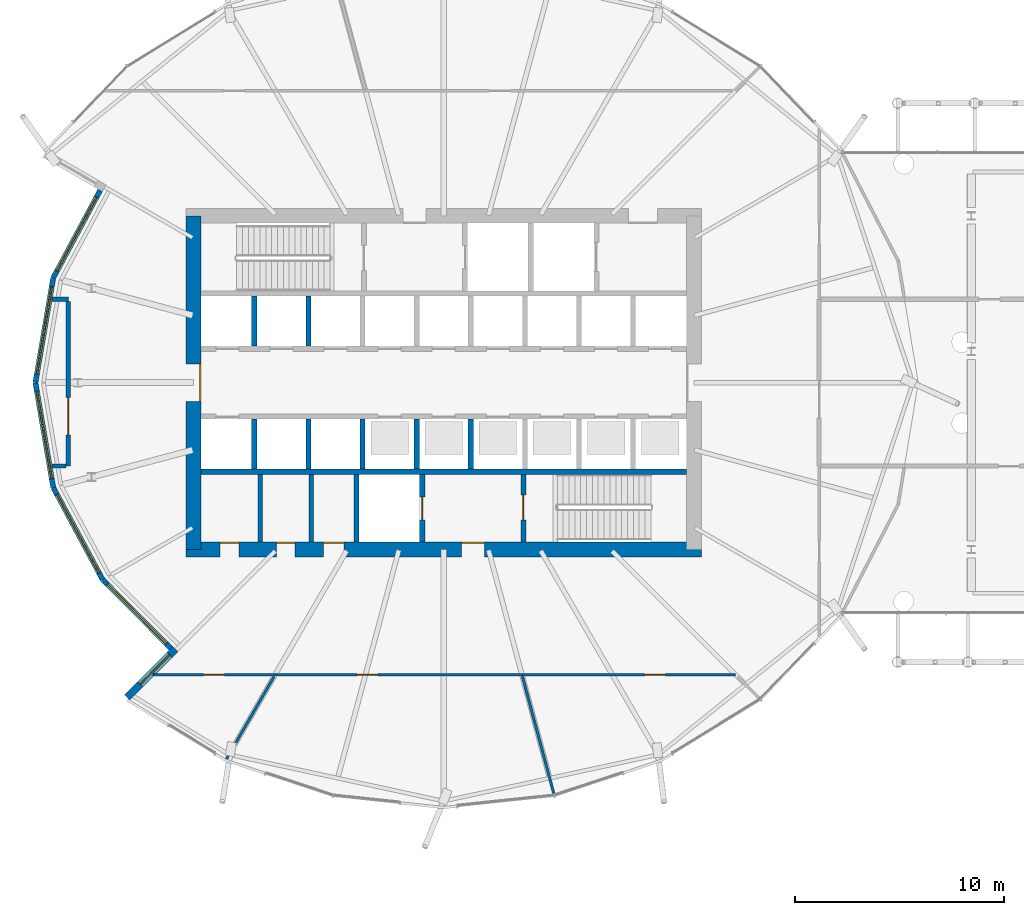
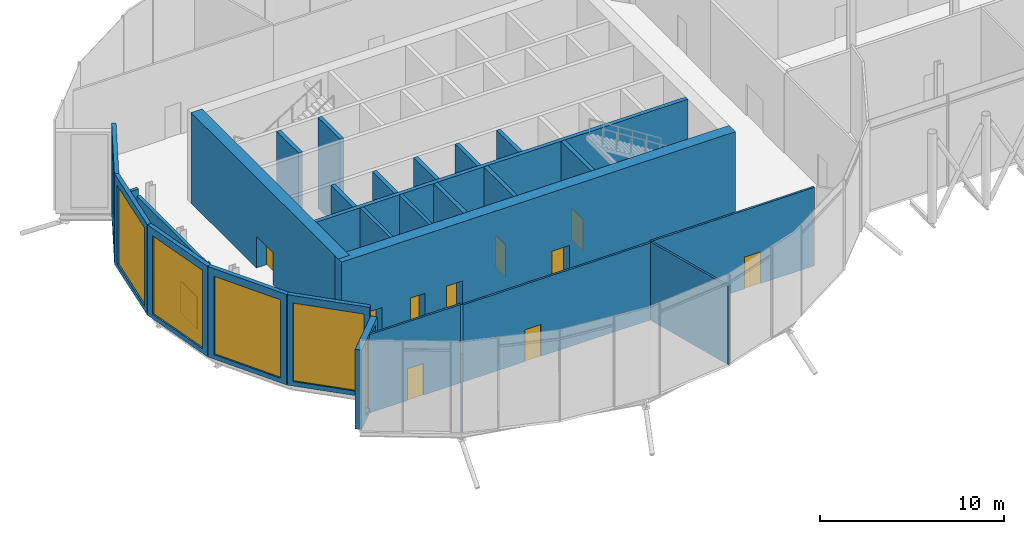
# One storey, part 19 of 38: 29 walls, 11 doors, 6 windows, 17 openings.
"""IFC4 building model written with IfcOpenShell, lengths in metres."""

from ifc_helpers import new_model, si_unit, direction, frame, frame_2d, origin, place, context, subcontext, project, spatial, rectangle, extrude, material, layer, layer_set, type_object, element, fill, save


model = new_model("IFC4")

# Units and contexts
model_context = context("Model", 3, precision=1e-05, world=origin(), true_north=direction((0.0, 1.0)))
body_context = subcontext(model_context, "Body", "Model", "MODEL_VIEW")
ifc_project = project(units=[si_unit("LENGTHUNIT", "METRE"), si_unit("AREAUNIT", "SQUARE_METRE"), si_unit("VOLUMEUNIT", "CUBIC_METRE"), si_unit("PLANEANGLEUNIT", "RADIAN"), si_unit("MASSUNIT", "GRAM", prefix="KILO")], contexts=[model_context])

# Site, building, storey
site_placement = place(None, origin())
site = spatial("IfcSite", under=ifc_project, at=site_placement, CompositionType="ELEMENT")
building_placement = place(site_placement, origin())
building = spatial("IfcBuilding", under=site, at=building_placement, Name="Rimbun Link Towers", CompositionType="ELEMENT")
storey_placement = place(building_placement, frame((0.0, 0.0, 133.199951171875)))
storey = spatial("IfcBuildingStorey", under=building, at=storey_placement, Name="L32", CompositionType="ELEMENT", Elevation=133.199951171875)

# Wall, opening, window
ifc_material_1 = material(Name="Dark enamelled glass spandrel on insulated aluminium backpan", Category="aluminium")
ifc_layer_1 = layer(ifc_material_1, 0.25)
ifc_layer_set_1 = layer_set([ifc_layer_1], Name="CS dark enamelled spandrel wall 250")
wall_type_1 = type_object("IfcWallType", Name="CS dark enamelled spandrel wall 250", PredefinedType="STANDARD", material=ifc_layer_set_1)
wall_1_placement = place(storey_placement, frame((-50.4755859375, 5.0263671875, 0.0), z_axis=(0.0, 0.0, 1.0), x_axis=(0.47248174368, 0.881340457422, 0.0)))
wall_1 = element("IfcWall", 1, at=wall_1_placement, inside=storey, type_object=wall_type_1, Name="Crease spandrel wall", PredefinedType="STANDARD", context=body_context, shape_type="SweptSolid", body=[
    extrude(rectangle(XDim=4.76220703125, YDim=0.25, at=frame_2d((2.381103515625, 0.0))), origin(), (0.0, 0.0, 1.0), 6.0),
])
opening_1_placement = place(wall_1_placement, frame((0.381103515625, 0.0, 0.300048828125)))
opening_1 = element("IfcOpeningElement", 2, at=opening_1_placement, cuts=wall_1, Name="Opening WR40H520", PredefinedType="OPENING", context=body_context, shape_type="SweptSolid", body=[
    extrude(rectangle(XDim=4.0, YDim=5.199951171875, at=frame_2d((2.0, 2.60009765625))), frame((0.0, 0.135009765625, 0.0), z_axis=(0.0, -1.0, 0.0), x_axis=(1.0, 0.0, 0.0)), (0.0, 0.0, 1.0), 0.27001953125),
])
ifc_material_2 = material(Name="Aluminium framed fixed window, dark tinted low-e glass", Category="aluminium")
window_type_1 = type_object("IfcWindowType", Name="WR ribbon window 4000X5200", PartitioningType="SINGLE_PANEL", PredefinedType="WINDOW", material=ifc_material_2)
window_1_placement = place(opening_1_placement, origin())
window_1 = element("IfcWindow", 3, at=window_1_placement, inside=storey, type_object=window_type_1, Name="Crease ribbon window", OverallHeight=5.199951171875, OverallWidth=4.0, PartitioningType="SINGLE_PANEL", PredefinedType="WINDOW", context=body_context, shape_type="SweptSolid", body=[
    extrude(rectangle(XDim=4.0, YDim=5.199951171875, at=frame_2d((2.0, 2.60009765625))), frame((0.0, 0.030029296875, 0.0), z_axis=(0.0, -1.0, 0.0), x_axis=(1.0, 0.0, 0.0)), (0.0, 0.0, 1.0), 0.06005859375),
])
fill(opening_1, window_1)

wall_2_placement = place(storey_placement, frame((-51.330322265625, 0.0, 0.0), z_axis=(0.0, 0.0, 1.0), x_axis=(0.167643894896, 0.985847617284, 0.0)))
wall_2 = element("IfcWall", 4, at=wall_2_placement, inside=storey, type_object=wall_type_1, Name="Crease spandrel wall", PredefinedType="STANDARD", context=body_context, shape_type="SweptSolid", body=[
    extrude(rectangle(XDim=5.0986328125, YDim=0.25, at=frame_2d((2.54931640625, 0.0))), origin(), (0.0, 0.0, 1.0), 6.0),
])
opening_2_placement = place(wall_2_placement, frame((0.42431640625, 0.0, 0.300048828125)))
opening_2 = element("IfcOpeningElement", 5, at=opening_2_placement, cuts=wall_2, Name="Opening WR42H520", PredefinedType="OPENING", context=body_context, shape_type="SweptSolid", body=[
    extrude(rectangle(XDim=4.25, YDim=5.199951171875, at=frame_2d((2.125, 2.60009765625))), frame((0.0, 0.135009765625, 0.0), z_axis=(0.0, -1.0, 0.0), x_axis=(1.0, 0.0, 0.0)), (0.0, 0.0, 1.0), 0.27001953125),
])
ifc_material_3 = material(Name="Aluminium framed fixed window, dark tinted low-e glass", Category="aluminium")
window_type_2 = type_object("IfcWindowType", Name="WR ribbon window 4250X5200", PartitioningType="SINGLE_PANEL", PredefinedType="WINDOW", material=ifc_material_3)
window_2_placement = place(opening_2_placement, origin())
window_2 = element("IfcWindow", 6, at=window_2_placement, inside=storey, type_object=window_type_2, Name="Crease ribbon window", OverallHeight=5.199951171875, OverallWidth=4.25, PartitioningType="SINGLE_PANEL", PredefinedType="WINDOW", context=body_context, shape_type="SweptSolid", body=[
    extrude(rectangle(XDim=4.25, YDim=5.199951171875, at=frame_2d((2.125, 2.60009765625))), frame((0.0, 0.030029296875, 0.0), z_axis=(0.0, -1.0, 0.0), x_axis=(1.0, 0.0, 0.0)), (0.0, 0.0, 1.0), 0.06005859375),
])
fill(opening_2, window_2)

wall_3_placement = place(storey_placement, frame((-50.4755859375, -5.0263671875, 0.0), z_axis=(0.0, 0.0, 1.0), x_axis=(-0.167643894896, 0.985847617284, 0.0)))
wall_3 = element("IfcWall", 7, at=wall_3_placement, inside=storey, type_object=wall_type_1, Name="Crease spandrel wall", PredefinedType="STANDARD", context=body_context, shape_type="SweptSolid", body=[
    extrude(rectangle(XDim=5.0986328125, YDim=0.25, at=frame_2d((2.54931640625, 0.0))), origin(), (0.0, 0.0, 1.0), 6.0),
])
opening_3_placement = place(wall_3_placement, frame((0.42431640625, 0.0, 0.300048828125)))
opening_3 = element("IfcOpeningElement", 8, at=opening_3_placement, cuts=wall_3, Name="Opening WR42H520", PredefinedType="OPENING", context=body_context, shape_type="SweptSolid", body=[
    extrude(rectangle(XDim=4.25, YDim=5.199951171875, at=frame_2d((2.125, 2.60009765625))), frame((0.0, 0.135009765625, 0.0), z_axis=(0.0, -1.0, 0.0), x_axis=(1.0, 0.0, 0.0)), (0.0, 0.0, 1.0), 0.27001953125),
])
window_3_placement = place(opening_3_placement, origin())
window_3 = element("IfcWindow", 9, at=window_3_placement, inside=storey, type_object=window_type_2, Name="Crease ribbon window", OverallHeight=5.199951171875, OverallWidth=4.25, PartitioningType="SINGLE_PANEL", PredefinedType="WINDOW", context=body_context, shape_type="SweptSolid", body=[
    extrude(rectangle(XDim=4.25, YDim=5.199951171875, at=frame_2d((2.125, 2.60009765625))), frame((0.0, 0.030029296875, 0.0), z_axis=(0.0, -1.0, 0.0), x_axis=(1.0, 0.0, 0.0)), (0.0, 0.0, 1.0), 0.06005859375),
])
fill(opening_3, window_3)

wall_4_placement = place(storey_placement, frame((-48.1005859375, -9.45654296875, 0.0), z_axis=(0.0, 0.0, 1.0), x_axis=(-0.472482867298, 0.881339855056, 0.0)))
wall_4 = element("IfcWall", 10, at=wall_4_placement, inside=storey, type_object=wall_type_1, Name="Crease spandrel wall", PredefinedType="STANDARD", context=body_context, shape_type="SweptSolid", body=[
    extrude(rectangle(XDim=5.026611328125, YDim=0.25, at=frame_2d((2.51318359375, 0.0))), origin(), (0.0, 0.0, 1.0), 6.0),
])
opening_4_placement = place(wall_4_placement, frame((0.38818359375, 0.0, 0.300048828125)))
opening_4 = element("IfcOpeningElement", 11, at=opening_4_placement, cuts=wall_4, Name="Opening WR42H520", PredefinedType="OPENING", context=body_context, shape_type="SweptSolid", body=[
    extrude(rectangle(XDim=4.25, YDim=5.199951171875, at=frame_2d((2.125, 2.60009765625))), frame((0.0, 0.135009765625, 0.0), z_axis=(0.0, -1.0, 0.0), x_axis=(1.0, 0.0, 0.0)), (0.0, 0.0, 1.0), 0.27001953125),
])
window_4_placement = place(opening_4_placement, origin())
window_4 = element("IfcWindow", 12, at=window_4_placement, inside=storey, type_object=window_type_2, Name="Crease ribbon window", OverallHeight=5.199951171875, OverallWidth=4.25, PartitioningType="SINGLE_PANEL", PredefinedType="WINDOW", context=body_context, shape_type="SweptSolid", body=[
    extrude(rectangle(XDim=4.25, YDim=5.199951171875, at=frame_2d((2.125, 2.60009765625))), frame((0.0, 0.030029296875, 0.0), z_axis=(0.0, -1.0, 0.0), x_axis=(1.0, 0.0, 0.0)), (0.0, 0.0, 1.0), 0.06005859375),
])
fill(opening_4, window_4)

wall_5_placement = place(storey_placement, frame((-44.835693359375, -12.73193359375, 0.0), z_axis=(0.0, 0.0, 1.0), x_axis=(-0.705970868874, 0.708240871668, 0.0)))
wall_5 = element("IfcWall", 13, at=wall_5_placement, inside=storey, type_object=wall_type_1, Name="Crease spandrel wall", PredefinedType="STANDARD", context=body_context, shape_type="SweptSolid", body=[
    extrude(rectangle(XDim=4.624755859375, YDim=0.25, at=frame_2d((2.3125, 0.0))), origin(), (0.0, 0.0, 1.0), 6.0),
])
opening_5_placement = place(wall_5_placement, frame((0.3125, 0.0, 0.300048828125)))
opening_5 = element("IfcOpeningElement", 14, at=opening_5_placement, cuts=wall_5, Name="Opening WR40H520", PredefinedType="OPENING", context=body_context, shape_type="SweptSolid", body=[
    extrude(rectangle(XDim=4.0, YDim=5.199951171875, at=frame_2d((2.0, 2.60009765625))), frame((0.0, 0.135009765625, 0.0), z_axis=(0.0, -1.0, 0.0), x_axis=(1.0, 0.0, 0.0)), (0.0, 0.0, 1.0), 0.27001953125),
])
window_5_placement = place(opening_5_placement, origin())
window_5 = element("IfcWindow", 15, at=window_5_placement, inside=storey, type_object=window_type_1, Name="Crease ribbon window", OverallHeight=5.199951171875, OverallWidth=4.0, PartitioningType="SINGLE_PANEL", PredefinedType="WINDOW", context=body_context, shape_type="SweptSolid", body=[
    extrude(rectangle(XDim=4.0, YDim=5.199951171875, at=frame_2d((2.0, 2.60009765625))), frame((0.0, 0.030029296875, 0.0), z_axis=(0.0, -1.0, 0.0), x_axis=(1.0, 0.0, 0.0)), (0.0, 0.0, 1.0), 0.06005859375),
])
fill(opening_5, window_5)

ifc_material_4 = material(Name="Dark enamelled glass spandrel on insulated aluminium backpan", Category="aluminium")
ifc_layer_2 = layer(ifc_material_4, 0.3701171875)
ifc_layer_set_2 = layer_set([ifc_layer_2], Name="CS dark enamelled spandrel wall 370")
wall_type_2 = type_object("IfcWallType", Name="CS dark enamelled spandrel wall 370", PredefinedType="STANDARD", material=ifc_layer_set_2)
wall_6_placement = place(storey_placement, frame((-46.93603515625, -15.093994140625, 0.0), z_axis=(0.0, 0.0, 1.0), x_axis=(0.707106781187, 0.707106781187, 0.0)))
wall_6 = element("IfcWall", 16, at=wall_6_placement, inside=storey, type_object=wall_type_2, Name="Crease spandrel wall", PredefinedType="STANDARD", context=body_context, shape_type="SweptSolid", body=[
    extrude(rectangle(XDim=3.280029296875, YDim=0.3701171875, at=frame_2d((1.64013671875, 0.0))), origin(), (0.0, 0.0, 1.0), 5.27685546875),
])
opening_6_placement = place(wall_6_placement, frame((0.88916015625, 0.0, 0.300048828125)))
opening_6 = element("IfcOpeningElement", 17, at=opening_6_placement, cuts=wall_6, Name="Opening WR20H470", PredefinedType="OPENING", context=body_context, shape_type="SweptSolid", body=[
    extrude(rectangle(XDim=2.0, YDim=4.699951171875, at=frame_2d((1.0, 2.35009765625))), frame((0.0, 0.195068359375, 0.0), z_axis=(0.0, -1.0, 0.0), x_axis=(1.0, 0.0, 0.0)), (0.0, 0.0, 1.0), 0.39013671875),
])
ifc_material_5 = material(Name="Aluminium framed fixed window, dark tinted low-e glass", Category="aluminium")
window_type_3 = type_object("IfcWindowType", Name="WR ribbon window 2000X4700", PartitioningType="SINGLE_PANEL", PredefinedType="WINDOW", material=ifc_material_5)
window_6_placement = place(opening_6_placement, origin())
window_6 = element("IfcWindow", 18, at=window_6_placement, inside=storey, type_object=window_type_3, Name="Crease ribbon window", OverallHeight=4.699951171875, OverallWidth=2.0, PartitioningType="SINGLE_PANEL", PredefinedType="WINDOW", context=body_context, shape_type="SweptSolid", body=[
    extrude(rectangle(XDim=2.0, YDim=4.699951171875, at=frame_2d((1.0, 2.35009765625))), frame((0.0, 0.030029296875, 0.0), z_axis=(0.0, -1.0, 0.0), x_axis=(1.0, 0.0, 0.0)), (0.0, 0.0, 1.0), 0.06005859375),
])
fill(opening_6, window_6)

# Walls
ifc_material_6 = material(Name="Masonry blockwork", Category="masonry")
ifc_layer_3 = layer(ifc_material_6, 0.199951171875)
ifc_layer_set_3 = layer_set([ifc_layer_3], Name="Core partition 200")
wall_type_3 = type_object("IfcWallType", Name="Core partition 200", PredefinedType="PARTITIONING", material=ifc_layer_set_3)
for number, where, z_axis, x_axis, name in (
    (19, (-40.550048828125, -4.39990234375, 0.0), (0.0, 0.0, 1.0), (0.0, -1.0, 0.0), "L32 T1 core wall C1"),
    (20, (-38.10009765625, -4.39990234375, 0.0), (0.0, 0.0, 1.0), (0.0, -1.0, 0.0), "L32 T1 core wall C2"),
):
    element("IfcWall", number, at=place(storey_placement, frame(where, z_axis=z_axis, x_axis=x_axis)), inside=storey, type_object=wall_type_3, Name=name, PredefinedType="PARTITIONING", context=body_context, shape_type="SweptSolid", body=[
        extrude(rectangle(XDim=3.25, YDim=0.199951171875, at=frame_2d((1.625, 0.0))), origin(), (0.0, 0.0, 1.0), 6.0),
    ])

# Wall, openings, doors
ifc_material_7 = material(Name="Concrete C60/75", Category="concrete")
ifc_layer_4 = layer(ifc_material_7, 0.699951171875)
ifc_layer_set_4 = layer_set([ifc_layer_4], Name="Core shear wall 700")
wall_type_4 = type_object("IfcWallType", Name="Core shear wall 700", PredefinedType="SHEAR", material=ifc_layer_set_4)
wall_7_placement = place(storey_placement, frame((-44.10009765625, -8.0, 0.0), z_axis=(0.0, 0.0, 1.0), x_axis=(1.0, 0.0, 0.0)))
wall_7 = element("IfcWall", 21, at=wall_7_placement, inside=storey, type_object=wall_type_4, Name="L32 T1 core wall S", PredefinedType="SHEAR", context=body_context, shape_type="SweptSolid", body=[
    extrude(rectangle(XDim=24.7001953125, YDim=0.699951171875, at=frame_2d((12.35009765625, 0.0))), origin(), (0.0, 0.0, 1.0), 6.0),
])
opening_7_placement = place(wall_7_placement, frame((13.199951171875, 0.0, 0.0)))
opening_7 = element("IfcOpeningElement", 22, at=opening_7_placement, cuts=wall_7, Name="Opening C1DCF01S", PredefinedType="OPENING", context=body_context, shape_type="SweptSolid", body=[
    extrude(rectangle(XDim=1.10009765625, YDim=2.10009765625, at=frame_2d((0.550048828125, 1.050048828125))), frame((0.0, 0.35986328125, 0.0), z_axis=(0.0, -1.0, 0.0), x_axis=(1.0, 0.0, 0.0)), (0.0, 0.0, 1.0), 0.719970703125),
])
opening_8_placement = place(wall_7_placement, frame((1.625, 0.0, 0.0)))
opening_8 = element("IfcOpeningElement", 23, at=opening_8_placement, cuts=wall_7, Name="Opening C1DWC02S", PredefinedType="OPENING", context=body_context, shape_type="SweptSolid", body=[
    extrude(rectangle(XDim=0.89990234375, YDim=2.10009765625, at=frame_2d((0.449951171875, 1.050048828125))), frame((0.0, 0.35986328125, 0.0), z_axis=(0.0, -1.0, 0.0), x_axis=(1.0, 0.0, 0.0)), (0.0, 0.0, 1.0), 0.719970703125),
])
opening_9_placement = place(wall_7_placement, frame((4.324951171875, 0.0, 0.0)))
opening_9 = element("IfcOpeningElement", 24, at=opening_9_placement, cuts=wall_7, Name="Opening C1DWC03S", PredefinedType="OPENING", context=body_context, shape_type="SweptSolid", body=[
    extrude(rectangle(XDim=0.89990234375, YDim=2.10009765625, at=frame_2d((0.449951171875, 1.050048828125))), frame((0.0, 0.35986328125, 0.0), z_axis=(0.0, -1.0, 0.0), x_axis=(1.0, 0.0, 0.0)), (0.0, 0.0, 1.0), 0.719970703125),
])
opening_10_placement = place(wall_7_placement, frame((6.574951171875, 0.0, 0.0)))
opening_10 = element("IfcOpeningElement", 25, at=opening_10_placement, cuts=wall_7, Name="Opening C1DAW04S", PredefinedType="OPENING", context=body_context, shape_type="SweptSolid", body=[
    extrude(rectangle(XDim=1.0, YDim=2.10009765625, at=frame_2d((0.5, 1.050048828125))), frame((0.0, 0.35986328125, 0.0), z_axis=(0.0, -1.0, 0.0), x_axis=(1.0, 0.0, 0.0)), (0.0, 0.0, 1.0), 0.719970703125),
])
ifc_material_8 = material(Name="Timber", Category="wood")
door_type_1 = type_object("IfcDoorType", Name="Accessible WC door", OperationType="SINGLE_SWING_LEFT", PredefinedType="DOOR", material=ifc_material_8)
door_1_placement = place(opening_10_placement, origin())
door_1 = element("IfcDoor", 26, at=door_1_placement, inside=storey, type_object=door_type_1, Name="L32 T1 accessible wc door", OperationType="SINGLE_SWING_RIGHT", OverallHeight=2.10009765625, OverallWidth=1.0, PredefinedType="DOOR", context=body_context, shape_type="SweptSolid", body=[
    extrude(rectangle(XDim=1.0, YDim=2.10009765625, at=frame_2d((0.5, 1.050048828125))), frame((0.0, 0.35009765625, 0.0), z_axis=(0.0, -1.0, 0.0), x_axis=(1.0, 0.0, 0.0)), (0.0, 0.0, 1.0), 0.050048828125),
])
fill(opening_10, door_1)
ifc_material_9 = material(Name="Steel fire door set", Category="steel")
door_type_2 = type_object("IfcDoorType", Name="Core fire door single", OperationType="SINGLE_SWING_LEFT", PredefinedType="DOOR", material=ifc_material_9)
door_2_placement = place(opening_7_placement, origin())
door_2 = element("IfcDoor", 27, at=door_2_placement, inside=storey, type_object=door_type_2, Name="L32 T1 firefighting lobby s door", OperationType="SINGLE_SWING_RIGHT", OverallHeight=2.10009765625, OverallWidth=1.10009765625, PredefinedType="DOOR", context=body_context, shape_type="SweptSolid", body=[
    extrude(rectangle(XDim=1.10009765625, YDim=2.10009765625, at=frame_2d((0.550048828125, 1.050048828125))), frame((0.0, 0.35009765625, 0.0), z_axis=(0.0, -1.0, 0.0), x_axis=(1.0, 0.0, 0.0)), (0.0, 0.0, 1.0), 0.050048828125),
])
fill(opening_7, door_2)
ifc_material_10 = material(Name="Timber", Category="wood")
door_type_3 = type_object("IfcDoorType", Name="WC door", OperationType="SINGLE_SWING_LEFT", PredefinedType="DOOR", material=ifc_material_10)
door_3_placement = place(opening_8_placement, origin())
door_3 = element("IfcDoor", 28, at=door_3_placement, inside=storey, type_object=door_type_3, Name="L32 T1 male wc door", OperationType="SINGLE_SWING_RIGHT", OverallHeight=2.10009765625, OverallWidth=0.89990234375, PredefinedType="DOOR", context=body_context, shape_type="SweptSolid", body=[
    extrude(rectangle(XDim=0.89990234375, YDim=2.10009765625, at=frame_2d((0.449951171875, 1.050048828125))), frame((0.0, 0.35009765625, 0.0), z_axis=(0.0, -1.0, 0.0), x_axis=(1.0, 0.0, 0.0)), (0.0, 0.0, 1.0), 0.050048828125),
])
fill(opening_8, door_3)
door_4_placement = place(opening_9_placement, origin())
door_4 = element("IfcDoor", 29, at=door_4_placement, inside=storey, type_object=door_type_3, Name="L32 T1 female wc door", OperationType="SINGLE_SWING_LEFT", OverallHeight=2.10009765625, OverallWidth=0.89990234375, PredefinedType="DOOR", context=body_context, shape_type="SweptSolid", body=[
    extrude(rectangle(XDim=0.89990234375, YDim=2.10009765625, at=frame_2d((0.449951171875, 1.050048828125))), frame((0.0, 0.35009765625, 0.0), z_axis=(0.0, -1.0, 0.0), x_axis=(1.0, 0.0, 0.0)), (0.0, 0.0, 1.0), 0.050048828125),
])
fill(opening_9, door_4)

# Wall, opening, door
wall_8_placement = place(storey_placement, frame((-43.75, -8.0, 0.0), z_axis=(0.0, 0.0, 1.0), x_axis=(0.0, 1.0, 0.0)))
wall_8 = element("IfcWall", 30, at=wall_8_placement, inside=storey, type_object=wall_type_4, Name="L32 T1 core wall W", PredefinedType="SHEAR", context=body_context, shape_type="SweptSolid", body=[
    extrude(rectangle(XDim=16.0, YDim=0.699951171875, at=frame_2d((8.0, 0.0))), origin(), (0.0, 0.0, 1.0), 6.0),
])
opening_11_placement = place(wall_8_placement, frame((7.10009765625, 0.0, 0.0)))
opening_11 = element("IfcOpeningElement", 31, at=opening_11_placement, cuts=wall_8, Name="Opening C1DCL01W", PredefinedType="OPENING", context=body_context, shape_type="SweptSolid", body=[
    extrude(rectangle(XDim=1.800048828125, YDim=2.10009765625, at=frame_2d((0.89990234375, 1.050048828125))), frame((0.0, 0.35986328125, 0.0), z_axis=(0.0, -1.0, 0.0), x_axis=(1.0, 0.0, 0.0)), (0.0, 0.0, 1.0), 0.719970703125),
])
ifc_material_11 = material(Name="Steel fire door set", Category="steel")
door_type_4 = type_object("IfcDoorType", Name="Core lobby door double", OperationType="DOUBLE_DOOR_SINGLE_SWING", PredefinedType="DOOR", material=ifc_material_11)
door_5_placement = place(opening_11_placement, origin())
door_5 = element("IfcDoor", 32, at=door_5_placement, inside=storey, type_object=door_type_4, Name="L32 T1 lift lobby door", OperationType="DOUBLE_DOOR_SINGLE_SWING", OverallHeight=2.10009765625, OverallWidth=1.800048828125, PredefinedType="DOOR", context=body_context, shape_type="SweptSolid", body=[
    extrude(rectangle(XDim=1.800048828125, YDim=2.10009765625, at=frame_2d((0.89990234375, 1.050048828125))), frame((0.0, -0.2998046875, 0.0), z_axis=(0.0, -1.0, 0.0), x_axis=(1.0, 0.0, 0.0)), (0.0, 0.0, 1.0), 0.050048828125),
])
fill(opening_11, door_5)

# Wall
ifc_material_12 = material(Name="Concrete blockwork", Category="masonry")
ifc_layer_5 = layer(ifc_material_12, 0.199951171875)
ifc_layer_set_5 = layer_set([ifc_layer_5], Name="Fire partition 200 blockwork")
wall_type_5 = type_object("IfcWallType", Name="Fire partition 200 blockwork", PredefinedType="PARTITIONING", material=ifc_layer_set_5)
wall_9_placement = place(storey_placement, frame((-50.523193359375, 4.0, 0.0), z_axis=(0.0, 0.0, 1.0), x_axis=(1.0, 0.0, 0.0)))
element("IfcWall", 33, at=wall_9_placement, inside=storey, type_object=wall_type_5, Name="TW/PW/L32/006", PredefinedType="PARTITIONING", context=body_context, shape_type="SweptSolid", body=[
    extrude(rectangle(XDim=0.773193359375, YDim=0.199951171875, at=frame_2d((0.38671875, 0.0))), origin(), (0.0, 0.0, 1.0), 5.39404296875),
])

# Wall, opening, door
wall_10_placement = place(storey_placement, frame((-49.75, 3.89990234375, 0.0), z_axis=(0.0, 0.0, 1.0), x_axis=(0.0, -1.0, 0.0)))
wall_10 = element("IfcWall", 34, at=wall_10_placement, inside=storey, type_object=wall_type_5, Name="TW/PW/L32/007", PredefinedType="PARTITIONING", context=body_context, shape_type="SweptSolid", body=[
    extrude(rectangle(XDim=7.89990234375, YDim=0.199951171875, at=frame_2d((3.949951171875, 0.0))), origin(), (0.0, 0.0, 1.0), 4.958984375),
])
opening_12_placement = place(wall_10_placement, frame((4.610107421875, 0.0, 0.0)))
opening_12 = element("IfcOpeningElement", 35, at=opening_12_placement, cuts=wall_10, Name="Opening TW D32.21", PredefinedType="OPENING", context=body_context, shape_type="SweptSolid", body=[
    extrude(rectangle(XDim=1.800048828125, YDim=2.10009765625, at=frame_2d((0.89990234375, 1.050048828125))), frame((0.0, 0.10986328125, 0.0), z_axis=(0.0, -1.0, 0.0), x_axis=(1.0, 0.0, 0.0)), (0.0, 0.0, 1.0), 0.219970703125),
])
ifc_material_13 = material(Name="Steel fire door set", Category="steel")
door_type_5 = type_object("IfcDoorType", Name="Fire door double leaf 1800 x 2100", OperationType="NOTDEFINED", PredefinedType="DOOR", material=ifc_material_13)
door_6_placement = place(opening_12_placement, origin())
door_6 = element("IfcDoor", 36, at=door_6_placement, inside=storey, type_object=door_type_5, Name="TW/DR/L32/021", OperationType="DOUBLE_DOOR_SINGLE_SWING", OverallHeight=2.10009765625, OverallWidth=1.800048828125, PredefinedType="DOOR", context=body_context, shape_type="SweptSolid", body=[
    extrude(rectangle(XDim=1.800048828125, YDim=2.10009765625, at=frame_2d((0.89990234375, 1.050048828125))), frame((0.0, 0.02490234375, 0.0), z_axis=(0.0, -1.0, 0.0), x_axis=(1.0, 0.0, 0.0)), (0.0, 0.0, 1.0), 0.050048828125),
])
fill(opening_12, door_6)

# Wall
wall_11_placement = place(storey_placement, frame((-49.85009765625, -4.0, 0.0), z_axis=(0.0, 0.0, 1.0), x_axis=(-1.0, 0.0, 0.0)))
element("IfcWall", 37, at=wall_11_placement, inside=storey, type_object=wall_type_5, Name="TW/PW/L32/008", PredefinedType="PARTITIONING", context=body_context, shape_type="SweptSolid", body=[
    extrude(rectangle(XDim=0.673095703125, YDim=0.199951171875, at=frame_2d((0.33642578125, 0.0))), origin(), (0.0, 0.0, 1.0), 5.39404296875),
])

# Wall, opening, door
ifc_material_14 = material(Name="Gypsum board on steel studs", Category="steel")
ifc_layer_6 = layer(ifc_material_14, 0.125)
ifc_layer_set_6 = layer_set([ifc_layer_6], Name="Partition 125 board on studs")
wall_type_6 = type_object("IfcWallType", Name="Partition 125 board on studs", PredefinedType="PARTITIONING", material=ifc_layer_set_6)
wall_12_placement = place(storey_placement, frame((-45.699951171875, -14.0, 0.0), z_axis=(0.0, 0.0, 1.0), x_axis=(1.0, 0.0, 0.0)))
wall_12 = element("IfcWall", 38, at=wall_12_placement, inside=storey, type_object=wall_type_6, Name="TW/PW/L32/009", PredefinedType="PARTITIONING", context=body_context, shape_type="SweptSolid", body=[
    extrude(rectangle(XDim=5.866943359375, YDim=0.125, at=frame_2d((2.93359375, 0.0))), origin(), (0.0, 0.0, 1.0), 5.197021484375),
])
opening_13_placement = place(wall_12_placement, frame((2.43408203125, 0.0, 0.0)))
opening_13 = element("IfcOpeningElement", 39, at=opening_13_placement, cuts=wall_12, Name="Opening TW D32.01", PredefinedType="OPENING", context=body_context, shape_type="SweptSolid", body=[
    extrude(rectangle(XDim=1.0, YDim=2.10009765625, at=frame_2d((0.5, 1.050048828125))), frame((0.0, 0.072509765625, 0.0), z_axis=(0.0, -1.0, 0.0), x_axis=(1.0, 0.0, 0.0)), (0.0, 0.0, 1.0), 0.14501953125),
])
ifc_material_15 = material(Name="Timber door set", Category="wood")
door_type_6 = type_object("IfcDoorType", Name="Door single leaf 1000 x 2100", OperationType="NOTDEFINED", PredefinedType="DOOR", material=ifc_material_15)
door_7_placement = place(opening_13_placement, origin())
door_7 = element("IfcDoor", 40, at=door_7_placement, inside=storey, type_object=door_type_6, Name="TW/DR/L32/001", OperationType="SINGLE_SWING_RIGHT", OverallHeight=2.10009765625, OverallWidth=1.0, PredefinedType="DOOR", context=body_context, shape_type="SweptSolid", body=[
    extrude(rectangle(XDim=1.0, YDim=2.10009765625, at=frame_2d((0.5, 1.050048828125))), frame((0.0, 0.02490234375, 0.0), z_axis=(0.0, -1.0, 0.0), x_axis=(1.0, 0.0, 0.0)), (0.0, 0.0, 1.0), 0.050048828125),
])
fill(opening_13, door_7)

wall_13_placement = place(storey_placement, frame((-39.8330078125, -14.0, 0.0), z_axis=(0.0, 0.0, 1.0), x_axis=(1.0, 0.0, 0.0)))
wall_13 = element("IfcWall", 41, at=wall_13_placement, inside=storey, type_object=wall_type_6, Name="TW/PW/L32/010", PredefinedType="PARTITIONING", context=body_context, shape_type="SweptSolid", body=[
    extrude(rectangle(XDim=11.834228515625, YDim=0.125, at=frame_2d((5.9169921875, 0.0))), origin(), (0.0, 0.0, 1.0), 5.115966796875),
])
opening_14_placement = place(wall_13_placement, frame((3.927001953125, 0.0, 0.0)))
opening_14 = element("IfcOpeningElement", 42, at=opening_14_placement, cuts=wall_13, Name="Opening TW D32.02", PredefinedType="OPENING", context=body_context, shape_type="SweptSolid", body=[
    extrude(rectangle(XDim=1.0, YDim=2.10009765625, at=frame_2d((0.5, 1.050048828125))), frame((0.0, 0.072509765625, 0.0), z_axis=(0.0, -1.0, 0.0), x_axis=(1.0, 0.0, 0.0)), (0.0, 0.0, 1.0), 0.14501953125),
])
door_8_placement = place(opening_14_placement, origin())
door_8 = element("IfcDoor", 43, at=door_8_placement, inside=storey, type_object=door_type_6, Name="TW/DR/L32/002", OperationType="SINGLE_SWING_LEFT", OverallHeight=2.10009765625, OverallWidth=1.0, PredefinedType="DOOR", context=body_context, shape_type="SweptSolid", body=[
    extrude(rectangle(XDim=1.0, YDim=2.10009765625, at=frame_2d((0.5, 1.050048828125))), frame((0.0, 0.02490234375, 0.0), z_axis=(0.0, -1.0, 0.0), x_axis=(1.0, 0.0, 0.0)), (0.0, 0.0, 1.0), 0.050048828125),
])
fill(opening_14, door_8)

wall_14_placement = place(storey_placement, frame((-27.998779296875, -14.0, 0.0), z_axis=(0.0, 0.0, 1.0), x_axis=(1.0, 0.0, 0.0)))
wall_14 = element("IfcWall", 44, at=wall_14_placement, inside=storey, type_object=wall_type_6, Name="TW/PW/L32/011", PredefinedType="PARTITIONING", context=body_context, shape_type="SweptSolid", body=[
    extrude(rectangle(XDim=10.248779296875, YDim=0.125, at=frame_2d((5.12451171875, 0.0))), origin(), (0.0, 0.0, 1.0), 5.197021484375),
])
opening_15_placement = place(wall_14_placement, frame((5.876953125, 0.0, 0.0)))
opening_15 = element("IfcOpeningElement", 45, at=opening_15_placement, cuts=wall_14, Name="Opening TW D32.03", PredefinedType="OPENING", context=body_context, shape_type="SweptSolid", body=[
    extrude(rectangle(XDim=1.0, YDim=2.10009765625, at=frame_2d((0.5, 1.050048828125))), frame((0.0, 0.072509765625, 0.0), z_axis=(0.0, -1.0, 0.0), x_axis=(1.0, 0.0, 0.0)), (0.0, 0.0, 1.0), 0.14501953125),
])
door_9_placement = place(opening_15_placement, origin())
door_9 = element("IfcDoor", 46, at=door_9_placement, inside=storey, type_object=door_type_6, Name="TW/DR/L32/003", OperationType="SINGLE_SWING_RIGHT", OverallHeight=2.10009765625, OverallWidth=1.0, PredefinedType="DOOR", context=body_context, shape_type="SweptSolid", body=[
    extrude(rectangle(XDim=1.0, YDim=2.10009765625, at=frame_2d((0.5, 1.050048828125))), frame((0.0, 0.02490234375, 0.0), z_axis=(0.0, -1.0, 0.0), x_axis=(1.0, 0.0, 0.0)), (0.0, 0.0, 1.0), 0.050048828125),
])
fill(opening_15, door_9)

# Walls
wall_15_placement = place(storey_placement, frame((-42.215576171875, -18.126708984375, 0.0), z_axis=(0.0, 0.0, 1.0), x_axis=(0.500029524279, 0.866008357263, 0.0)))
element("IfcWall", 47, at=wall_15_placement, inside=storey, type_object=wall_type_6, Name="TW/PW/L32/020", PredefinedType="PARTITIONING", context=body_context, shape_type="SweptSolid", body=[
    extrude(rectangle(XDim=4.656982421875, YDim=0.125, at=frame_2d((2.32861328125, 0.0))), origin(), (0.0, 0.0, 1.0), 5.197021484375),
])
wall_16_placement = place(storey_placement, frame((-26.435302734375, -19.835205078125, 0.0), z_axis=(0.0, 0.0, 1.0), x_axis=(-0.258781816618, 0.965935800862, 0.0)))
element("IfcWall", 48, at=wall_16_placement, inside=storey, type_object=wall_type_6, Name="TW/PW/L32/021", PredefinedType="PARTITIONING", context=body_context, shape_type="SweptSolid", body=[
    extrude(rectangle(XDim=5.959716796875, YDim=0.125, at=frame_2d((2.97998046875, 0.0))), origin(), (0.0, 0.0, 1.0), 5.197021484375),
])
ifc_material_16 = material(Name="Concrete C60/75", Category="concrete")
ifc_layer_7 = layer(ifc_material_16, 0.25)
ifc_layer_set_7 = layer_set([ifc_layer_7], Name="Shaft wall 250")
wall_type_7 = type_object("IfcWallType", Name="Shaft wall 250", PredefinedType="SHEAR", material=ifc_layer_set_7)
wall_17_placement = place(storey_placement, frame((-43.39990234375, -4.27490234375, 0.0), z_axis=(0.0, 0.0, 1.0), x_axis=(1.0, 0.0, 0.0)))
element("IfcWall", 49, at=wall_17_placement, inside=storey, type_object=wall_type_7, Name="L32 T1 core wall BS", PredefinedType="SHEAR", context=body_context, shape_type="SweptSolid", body=[
    extrude(rectangle(XDim=23.2998046875, YDim=0.25, at=frame_2d((11.64990234375, 0.0))), origin(), (0.0, 0.0, 1.0), 6.0),
])
for number, where, z_axis, x_axis, name in (
    (50, (-40.83056640625, 1.75, 0.0), (0.0, 0.0, 1.0), (0.0, 1.0, 0.0), "L32 T1 core wall DN0"),
    (51, (-38.236083984375, 1.75, 0.0), (0.0, 0.0, 1.0), (0.0, 1.0, 0.0), "L32 T1 core wall DN1"),
    (52, (-40.83056640625, -4.14990234375, 0.0), (0.0, 0.0, 1.0), (0.0, 1.0, 0.0), "L32 T1 core wall DS0"),
    (53, (-38.236083984375, -4.14990234375, 0.0), (0.0, 0.0, 1.0), (0.0, 1.0, 0.0), "L32 T1 core wall DS1"),
    (54, (-35.6416015625, -4.14990234375, 0.0), (0.0, 0.0, 1.0), (0.0, 1.0, 0.0), "L32 T1 core wall DS2"),
    (55, (-33.047119140625, -4.14990234375, 0.0), (0.0, 0.0, 1.0), (0.0, 1.0, 0.0), "L32 T1 core wall DS3"),
    (56, (-30.452880859375, -4.14990234375, 0.0), (0.0, 0.0, 1.0), (0.0, 1.0, 0.0), "L32 T1 core wall DS4"),
):
    element("IfcWall", number, at=place(storey_placement, frame(where, z_axis=z_axis, x_axis=x_axis)), inside=storey, type_object=wall_type_7, Name=name, PredefinedType="SHEAR", context=body_context, shape_type="SweptSolid", body=[
        extrude(rectangle(XDim=2.39990234375, YDim=0.25, at=frame_2d((1.199951171875, 0.0))), origin(), (0.0, 0.0, 1.0), 6.0),
    ])

# Wall, opening, door
wall_18_placement = place(storey_placement, frame((-27.925048828125, -4.39990234375, 0.0), z_axis=(0.0, 0.0, 1.0), x_axis=(0.0, -1.0, 0.0)))
wall_18 = element("IfcWall", 57, at=wall_18_placement, inside=storey, type_object=wall_type_7, Name="L32 T1 core wall B1", PredefinedType="SHEAR", context=body_context, shape_type="SweptSolid", body=[
    extrude(rectangle(XDim=3.25, YDim=0.25, at=frame_2d((1.625, 0.0))), origin(), (0.0, 0.0, 1.0), 6.0),
])
opening_16_placement = place(wall_18_placement, frame((0.97509765625, 0.0, 0.0)))
opening_16 = element("IfcOpeningElement", 58, at=opening_16_placement, cuts=wall_18, Name="Opening C1DST01B1", PredefinedType="OPENING", context=body_context, shape_type="SweptSolid", body=[
    extrude(rectangle(XDim=1.199951171875, YDim=2.10009765625, at=frame_2d((0.60009765625, 1.050048828125))), frame((0.0, 0.135009765625, 0.0), z_axis=(0.0, -1.0, 0.0), x_axis=(1.0, 0.0, 0.0)), (0.0, 0.0, 1.0), 0.27001953125),
])
ifc_material_17 = material(Name="Steel fire door set", Category="steel")
door_type_7 = type_object("IfcDoorType", Name="Stair door", OperationType="SINGLE_SWING_LEFT", PredefinedType="DOOR", material=ifc_material_17)
door_10_placement = place(opening_16_placement, origin())
door_10 = element("IfcDoor", 59, at=door_10_placement, inside=storey, type_object=door_type_7, Name="L32 T1 stair b door", OperationType="SINGLE_SWING_RIGHT", OverallHeight=2.10009765625, OverallWidth=1.199951171875, PredefinedType="DOOR", context=body_context, shape_type="SweptSolid", body=[
    extrude(rectangle(XDim=1.199951171875, YDim=2.10009765625, at=frame_2d((0.60009765625, 1.050048828125))), frame((0.0, 0.02490234375, 0.0), z_axis=(0.0, -1.0, 0.0), x_axis=(1.0, 0.0, 0.0)), (0.0, 0.0, 1.0), 0.050048828125),
])
fill(opening_16, door_10)

wall_19_placement = place(storey_placement, frame((-32.77490234375, -4.39990234375, 0.0), z_axis=(0.0, 0.0, 1.0), x_axis=(0.0, -1.0, 0.0)))
wall_19 = element("IfcWall", 60, at=wall_19_placement, inside=storey, type_object=wall_type_7, Name="L32 T1 core wall B2", PredefinedType="SHEAR", context=body_context, shape_type="SweptSolid", body=[
    extrude(rectangle(XDim=3.25, YDim=0.25, at=frame_2d((1.625, 0.0))), origin(), (0.0, 0.0, 1.0), 6.0),
])
opening_17_placement = place(wall_19_placement, frame((1.074951171875, 0.0, 0.0)))
opening_17 = element("IfcOpeningElement", 61, at=opening_17_placement, cuts=wall_19, Name="Opening LD-T1-FF2", PredefinedType="OPENING", context=body_context, shape_type="SweptSolid", body=[
    extrude(rectangle(XDim=1.10009765625, YDim=2.10009765625, at=frame_2d((0.550048828125, 1.050048828125))), frame((0.0, 0.135009765625, 0.0), z_axis=(0.0, -1.0, 0.0), x_axis=(1.0, 0.0, 0.0)), (0.0, 0.0, 1.0), 0.27001953125),
])
ifc_material_18 = material(Name="Stainless steel grade 316", Category="steel")
door_type_8 = type_object("IfcDoorType", Name="Lift landing door", OperationType="DOUBLE_DOOR_SLIDING", PredefinedType="DOOR", material=ifc_material_18)
door_11_placement = place(opening_17_placement, origin())
door_11 = element("IfcDoor", 62, at=door_11_placement, inside=storey, type_object=door_type_8, Name="L32 T1 lift FF2 landing door", OperationType="DOUBLE_DOOR_SLIDING", OverallHeight=2.10009765625, OverallWidth=1.10009765625, PredefinedType="DOOR", context=body_context, shape_type="SweptSolid", body=[
    extrude(rectangle(XDim=1.10009765625, YDim=2.10009765625, at=frame_2d((0.550048828125, 1.050048828125))), frame((0.0, 0.02490234375, 0.0), z_axis=(0.0, -1.0, 0.0), x_axis=(1.0, 0.0, 0.0)), (0.0, 0.0, 1.0), 0.050048828125),
])
fill(opening_17, door_11)

# Wall
wall_20_placement = place(storey_placement, frame((-35.925048828125, -4.39990234375, 0.0), z_axis=(0.0, 0.0, 1.0), x_axis=(0.0, -1.0, 0.0)))
element("IfcWall", 63, at=wall_20_placement, inside=storey, type_object=wall_type_7, Name="L32 T1 core wall B3", PredefinedType="SHEAR", context=body_context, shape_type="SweptSolid", body=[
    extrude(rectangle(XDim=3.25, YDim=0.25, at=frame_2d((1.625, 0.0))), origin(), (0.0, 0.0, 1.0), 6.0),
])

save(model, "model.ifc")
